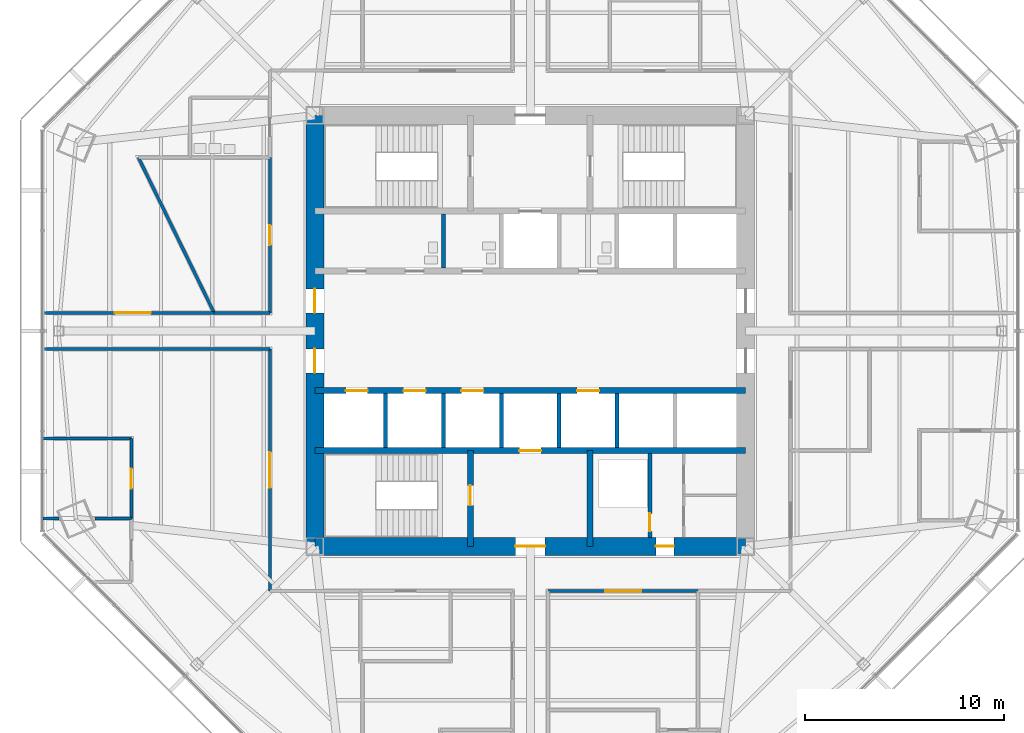
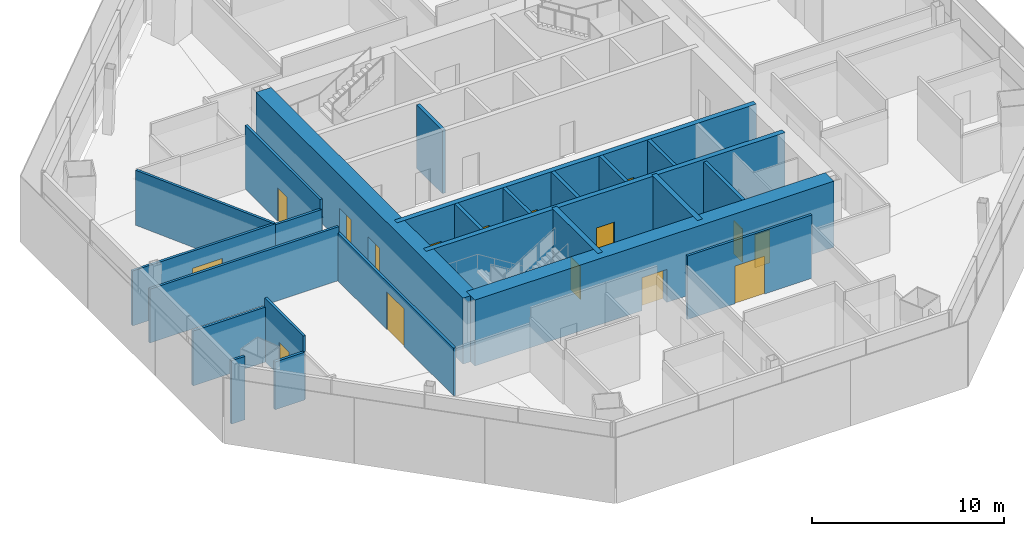
# One storey, part 9 of 15: 24 walls, 16 doors, 16 openings.
"""IFC4 building model written with IfcOpenShell, lengths in metres."""

from ifc_helpers import new_model, si_unit, direction, frame, frame_2d, origin, place, context, subcontext, project, spatial, rectangle, extrude, material, layer, layer_set, type_object, element, fill, save


model = new_model("IFC4")

# Units and contexts
model_context = context("Model", 3, precision=1e-05, world=origin(), true_north=direction((0.0, 1.0)))
body_context = subcontext(model_context, "Body", "Model", "MODEL_VIEW")
ifc_project = project(units=[si_unit("LENGTHUNIT", "METRE"), si_unit("AREAUNIT", "SQUARE_METRE"), si_unit("VOLUMEUNIT", "CUBIC_METRE"), si_unit("PLANEANGLEUNIT", "RADIAN"), si_unit("MASSUNIT", "GRAM", prefix="KILO")], contexts=[model_context])

# Site, building, storey
site_placement = place(None, origin())
site = spatial("IfcSite", under=ifc_project, at=site_placement, CompositionType="ELEMENT")
building_placement = place(site_placement, origin())
building = spatial("IfcBuilding", under=site, at=building_placement, Name="Mashrafa Tower", CompositionType="ELEMENT")
storey_placement = place(building_placement, frame((0.0, 0.0, 126.0)))
storey = spatial("IfcBuildingStorey", under=building, at=storey_placement, Name="L28", CompositionType="ELEMENT", Elevation=126.0)

# Wall, opening, door
ifc_material_1 = material(Name="Concrete masonry unit", Category="masonry")
ifc_layer_1 = layer(ifc_material_1, 0.199951171875)
ifc_layer_set_1 = layer_set([ifc_layer_1], Name="Blockwork wall 200 2 hr")
wall_type_1 = type_object("IfcWallType", Name="Blockwork wall 200 2 hr", PredefinedType="PARTITIONING", material=ifc_layer_set_1)
wall_1_placement = place(storey_placement, frame((6.0, -10.35009765625, 0.0), z_axis=(0.0, 0.0, 1.0), x_axis=(0.0, 1.0, 0.0)))
wall_1 = element("IfcWall", 1, at=wall_1_placement, inside=storey, type_object=wall_type_1, Name="Riser enclosure wall L28", PredefinedType="PARTITIONING", context=body_context, shape_type="SweptSolid", body=[
    extrude(rectangle(XDim=4.2001953125, YDim=0.199951171875, at=frame_2d((2.10009765625, 0.0))), origin(), (0.0, 0.0, 1.0), 4.034912109375),
])
opening_1_placement = place(wall_1_placement, frame((0.300048828125, 0.0, 0.0)))
opening_1 = element("IfcOpeningElement", 2, at=opening_1_placement, cuts=wall_1, Name="Opening 28.032", PredefinedType="OPENING", context=body_context, shape_type="SweptSolid", body=[
    extrude(rectangle(XDim=0.89990234375, YDim=2.10009765625, at=frame_2d((0.449951171875, 1.050048828125))), frame((0.0, 0.10986328125, 0.0), z_axis=(0.0, -1.0, 0.0), x_axis=(1.0, 0.0, 0.0)), (0.0, 0.0, 1.0), 0.219970703125),
])
ifc_material_2 = material(Name="Steel door", Category="steel")
door_type_1 = type_object("IfcDoorType", Name="Service door 900 x 2100 90 min", OperationType="USERDEFINED", PredefinedType="DOOR", material=ifc_material_2)
door_1_placement = place(opening_1_placement, origin())
door_1 = element("IfcDoor", 3, at=door_1_placement, inside=storey, type_object=door_type_1, Name="Riser door L28", OperationType="SINGLE_SWING_LEFT", OverallHeight=2.10009765625, OverallWidth=0.89990234375, PredefinedType="DOOR", context=body_context, shape_type="SweptSolid", body=[
    extrude(rectangle(XDim=0.89990234375, YDim=2.10009765625, at=frame_2d((0.449951171875, 1.050048828125))), frame((0.0, 0.02490234375, 0.0), z_axis=(0.0, -1.0, 0.0), x_axis=(1.0, 0.0, 0.0)), (0.0, 0.0, 1.0), 0.050048828125),
])
fill(opening_1, door_1)

# Wall, openings, doors
ifc_material_3 = material(Name="Concrete C60/75", Category="concrete")
ifc_layer_2 = layer(ifc_material_3, 0.300048828125)
ifc_layer_set_2 = layer_set([ifc_layer_2], Name="Core wall 300 C60/75")
wall_type_2 = type_object("IfcWallType", Name="Core wall 300 C60/75", PredefinedType="SOLIDWALL", material=ifc_layer_set_2)
wall_2_placement = place(storey_placement, frame((-10.800048828125, -3.0, 0.0), z_axis=(0.0, 0.0, 1.0), x_axis=(1.0, 0.0, 0.0)))
wall_2 = element("IfcWall", 4, at=wall_2_placement, inside=storey, type_object=wall_type_2, Name="Core wall CH-S L28", PredefinedType="SOLIDWALL", context=body_context, shape_type="SweptSolid", body=[
    extrude(rectangle(XDim=21.60009765625, YDim=0.300048828125, at=frame_2d((10.800048828125, 0.0))), origin(), (0.0, 0.0, 1.0), 4.199951171875),
])
opening_2_placement = place(wall_2_placement, frame((1.550048828125, 0.0, 0.0)))
opening_2 = element("IfcOpeningElement", 5, at=opening_2_placement, cuts=wall_2, Name="Opening 28.B1", PredefinedType="OPENING", context=body_context, shape_type="SweptSolid", body=[
    extrude(rectangle(XDim=1.10009765625, YDim=2.10009765625, at=frame_2d((0.550048828125, 1.050048828125))), frame((0.0, 0.159912109375, 0.0), z_axis=(0.0, -1.0, 0.0), x_axis=(1.0, 0.0, 0.0)), (0.0, 0.0, 1.0), 0.320068359375),
])
opening_3_placement = place(wall_2_placement, frame((4.449951171875, 0.0, 0.0)))
opening_3 = element("IfcOpeningElement", 6, at=opening_3_placement, cuts=wall_2, Name="Opening 28.B2", PredefinedType="OPENING", context=body_context, shape_type="SweptSolid", body=[
    extrude(rectangle(XDim=1.10009765625, YDim=2.10009765625, at=frame_2d((0.550048828125, 1.050048828125))), frame((0.0, 0.159912109375, 0.0), z_axis=(0.0, -1.0, 0.0), x_axis=(1.0, 0.0, 0.0)), (0.0, 0.0, 1.0), 0.320068359375),
])
opening_4_placement = place(wall_2_placement, frame((7.35009765625, 0.0, 0.0)))
opening_4 = element("IfcOpeningElement", 7, at=opening_4_placement, cuts=wall_2, Name="Opening 28.B3", PredefinedType="OPENING", context=body_context, shape_type="SweptSolid", body=[
    extrude(rectangle(XDim=1.10009765625, YDim=2.10009765625, at=frame_2d((0.550048828125, 1.050048828125))), frame((0.0, 0.159912109375, 0.0), z_axis=(0.0, -1.0, 0.0), x_axis=(1.0, 0.0, 0.0)), (0.0, 0.0, 1.0), 0.320068359375),
])
opening_5_placement = place(wall_2_placement, frame((13.14990234375, 0.0, 0.0)))
opening_5 = element("IfcOpeningElement", 8, at=opening_5_placement, cuts=wall_2, Name="Opening 28.B4", PredefinedType="OPENING", context=body_context, shape_type="SweptSolid", body=[
    extrude(rectangle(XDim=1.10009765625, YDim=2.10009765625, at=frame_2d((0.550048828125, 1.050048828125))), frame((0.0, 0.159912109375, 0.0), z_axis=(0.0, -1.0, 0.0), x_axis=(1.0, 0.0, 0.0)), (0.0, 0.0, 1.0), 0.320068359375),
])
ifc_material_4 = material(Name="Steel door", Category="steel")
door_type_2 = type_object("IfcDoorType", Name="Lift landing door 1100 x 2100 90 min", OperationType="DOUBLE_DOOR_SLIDING", PredefinedType="DOOR", material=ifc_material_4)
door_2_placement = place(opening_2_placement, origin())
door_2 = element("IfcDoor", 9, at=door_2_placement, inside=storey, type_object=door_type_2, Name="Lift landing door B1 L28", OperationType="DOUBLE_DOOR_SLIDING", OverallHeight=2.10009765625, OverallWidth=1.10009765625, PredefinedType="DOOR", context=body_context, shape_type="SweptSolid", body=[
    extrude(rectangle(XDim=1.10009765625, YDim=2.10009765625, at=frame_2d((0.550048828125, 1.050048828125))), frame((0.0, 0.02490234375, 0.0), z_axis=(0.0, -1.0, 0.0), x_axis=(1.0, 0.0, 0.0)), (0.0, 0.0, 1.0), 0.050048828125),
])
fill(opening_2, door_2)
door_3_placement = place(opening_3_placement, origin())
door_3 = element("IfcDoor", 10, at=door_3_placement, inside=storey, type_object=door_type_2, Name="Lift landing door B2 L28", OperationType="DOUBLE_DOOR_SLIDING", OverallHeight=2.10009765625, OverallWidth=1.10009765625, PredefinedType="DOOR", context=body_context, shape_type="SweptSolid", body=[
    extrude(rectangle(XDim=1.10009765625, YDim=2.10009765625, at=frame_2d((0.550048828125, 1.050048828125))), frame((0.0, 0.02490234375, 0.0), z_axis=(0.0, -1.0, 0.0), x_axis=(1.0, 0.0, 0.0)), (0.0, 0.0, 1.0), 0.050048828125),
])
fill(opening_3, door_3)
door_4_placement = place(opening_4_placement, origin())
door_4 = element("IfcDoor", 11, at=door_4_placement, inside=storey, type_object=door_type_2, Name="Lift landing door B3 L28", OperationType="DOUBLE_DOOR_SLIDING", OverallHeight=2.10009765625, OverallWidth=1.10009765625, PredefinedType="DOOR", context=body_context, shape_type="SweptSolid", body=[
    extrude(rectangle(XDim=1.10009765625, YDim=2.10009765625, at=frame_2d((0.550048828125, 1.050048828125))), frame((0.0, 0.02490234375, 0.0), z_axis=(0.0, -1.0, 0.0), x_axis=(1.0, 0.0, 0.0)), (0.0, 0.0, 1.0), 0.050048828125),
])
fill(opening_4, door_4)
door_5_placement = place(opening_5_placement, origin())
door_5 = element("IfcDoor", 12, at=door_5_placement, inside=storey, type_object=door_type_2, Name="Lift landing door B4 L28", OperationType="DOUBLE_DOOR_SLIDING", OverallHeight=2.10009765625, OverallWidth=1.10009765625, PredefinedType="DOOR", context=body_context, shape_type="SweptSolid", body=[
    extrude(rectangle(XDim=1.10009765625, YDim=2.10009765625, at=frame_2d((0.550048828125, 1.050048828125))), frame((0.0, 0.02490234375, 0.0), z_axis=(0.0, -1.0, 0.0), x_axis=(1.0, 0.0, 0.0)), (0.0, 0.0, 1.0), 0.050048828125),
])
fill(opening_5, door_5)

# Wall, opening, door
wall_3_placement = place(storey_placement, frame((-10.800048828125, -6.0, 0.0), z_axis=(0.0, 0.0, 1.0), x_axis=(1.0, 0.0, 0.0)))
wall_3 = element("IfcWall", 13, at=wall_3_placement, inside=storey, type_object=wall_type_2, Name="Core wall CB-S L28", PredefinedType="SOLIDWALL", context=body_context, shape_type="SweptSolid", body=[
    extrude(rectangle(XDim=21.60009765625, YDim=0.300048828125, at=frame_2d((10.800048828125, 0.0))), origin(), (0.0, 0.0, 1.0), 4.199951171875),
])
opening_6_placement = place(wall_3_placement, frame((10.25, 0.0, 0.0)))
opening_6 = element("IfcOpeningElement", 14, at=opening_6_placement, cuts=wall_3, Name="Opening 28.F2", PredefinedType="OPENING", context=body_context, shape_type="SweptSolid", body=[
    extrude(rectangle(XDim=1.10009765625, YDim=2.10009765625, at=frame_2d((0.550048828125, 1.050048828125))), frame((0.0, 0.159912109375, 0.0), z_axis=(0.0, -1.0, 0.0), x_axis=(1.0, 0.0, 0.0)), (0.0, 0.0, 1.0), 0.320068359375),
])
door_6_placement = place(opening_6_placement, origin())
door_6 = element("IfcDoor", 15, at=door_6_placement, inside=storey, type_object=door_type_2, Name="Lift landing door F2 L28", OperationType="DOUBLE_DOOR_SLIDING", OverallHeight=2.10009765625, OverallWidth=1.10009765625, PredefinedType="DOOR", context=body_context, shape_type="SweptSolid", body=[
    extrude(rectangle(XDim=1.10009765625, YDim=2.10009765625, at=frame_2d((0.550048828125, 1.050048828125))), frame((0.0, 0.02490234375, 0.0), z_axis=(0.0, -1.0, 0.0), x_axis=(1.0, 0.0, 0.0)), (0.0, 0.0, 1.0), 0.050048828125),
])
fill(opening_6, door_6)

wall_4_placement = place(storey_placement, frame((-3.0, -6.0, 0.0), z_axis=(0.0, 0.0, 1.0), x_axis=(0.0, -1.0, 0.0)))
wall_4 = element("IfcWall", 16, at=wall_4_placement, inside=storey, type_object=wall_type_2, Name="Core wall CX-SW L28", PredefinedType="SOLIDWALL", context=body_context, shape_type="SweptSolid", body=[
    extrude(rectangle(XDim=4.800048828125, YDim=0.300048828125, at=frame_2d((2.39990234375, 0.0))), origin(), (0.0, 0.0, 1.0), 4.199951171875),
])
opening_7_placement = place(wall_4_placement, frame((1.75, 0.0, 0.0)))
opening_7 = element("IfcOpeningElement", 17, at=opening_7_placement, cuts=wall_4, Name="Opening 28.030", PredefinedType="OPENING", context=body_context, shape_type="SweptSolid", body=[
    extrude(rectangle(XDim=1.0, YDim=2.10009765625, at=frame_2d((0.5, 1.050048828125))), frame((0.0, 0.159912109375, 0.0), z_axis=(0.0, -1.0, 0.0), x_axis=(1.0, 0.0, 0.0)), (0.0, 0.0, 1.0), 0.320068359375),
])
ifc_material_5 = material(Name="Steel door", Category="steel")
door_type_3 = type_object("IfcDoorType", Name="Stair door 1000 x 2100 90 min", OperationType="USERDEFINED", PredefinedType="DOOR", material=ifc_material_5)
door_7_placement = place(opening_7_placement, frame((1.0, 0.0, 0.0), z_axis=(0.0, 0.0, 1.0), x_axis=(-1.0, 0.0, 0.0)))
door_7 = element("IfcDoor", 18, at=door_7_placement, inside=storey, type_object=door_type_3, Name="Stair S3 door L28", OperationType="SINGLE_SWING_RIGHT", OverallHeight=2.10009765625, OverallWidth=1.0, PredefinedType="DOOR", context=body_context, shape_type="SweptSolid", body=[
    extrude(rectangle(XDim=1.0, YDim=2.10009765625, at=frame_2d((0.5, 1.050048828125))), frame((0.0, 0.02490234375, 0.0), z_axis=(0.0, -1.0, 0.0), x_axis=(1.0, 0.0, 0.0)), (0.0, 0.0, 1.0), 0.050048828125),
])
fill(opening_7, door_7)

# Wall
wall_5_placement = place(storey_placement, frame((3.0, -6.0, 0.0), z_axis=(0.0, 0.0, 1.0), x_axis=(0.0, -1.0, 0.0)))
element("IfcWall", 19, at=wall_5_placement, inside=storey, type_object=wall_type_2, Name="Core wall CX-SE L28", PredefinedType="SOLIDWALL", context=body_context, shape_type="SweptSolid", body=[
    extrude(rectangle(XDim=4.800048828125, YDim=0.300048828125, at=frame_2d((2.39990234375, 0.0))), origin(), (0.0, 0.0, 1.0), 4.199951171875),
])

# Wall, openings, doors
ifc_material_6 = material(Name="Concrete C60/75", Category="concrete")
ifc_layer_3 = layer(ifc_material_6, 0.89990234375)
ifc_layer_set_3 = layer_set([ifc_layer_3], Name="Core wall 900 C60/75")
wall_type_3 = type_object("IfcWallType", Name="Core wall 900 C60/75", PredefinedType="SOLIDWALL", material=ifc_layer_set_3)
wall_6_placement = place(storey_placement, frame((-10.800048828125, -10.800048828125, 0.0), z_axis=(0.0, 0.0, 1.0), x_axis=(1.0, 0.0, 0.0)))
wall_6 = element("IfcWall", 20, at=wall_6_placement, inside=storey, type_object=wall_type_3, Name="Core wall CW-S L28", PredefinedType="SOLIDWALL", context=body_context, shape_type="SweptSolid", body=[
    extrude(rectangle(XDim=21.60009765625, YDim=0.89990234375, at=frame_2d((10.800048828125, 0.0))), origin(), (0.0, 0.0, 1.0), 4.199951171875),
])
opening_8_placement = place(wall_6_placement, frame((10.050048828125, 0.0, 0.0)))
opening_8 = element("IfcOpeningElement", 21, at=opening_8_placement, cuts=wall_6, Name="Opening 28.027", PredefinedType="OPENING", context=body_context, shape_type="SweptSolid", body=[
    extrude(rectangle(XDim=1.5, YDim=2.10009765625, at=frame_2d((0.75, 1.050048828125))), frame((0.0, 0.4599609375, 0.0), z_axis=(0.0, -1.0, 0.0), x_axis=(1.0, 0.0, 0.0)), (0.0, 0.0, 1.0), 0.919921875),
])
opening_9_placement = place(wall_6_placement, frame((17.10009765625, 0.0, 0.0)))
opening_9 = element("IfcOpeningElement", 22, at=opening_9_placement, cuts=wall_6, Name="Opening 28.031", PredefinedType="OPENING", context=body_context, shape_type="SweptSolid", body=[
    extrude(rectangle(XDim=0.89990234375, YDim=2.10009765625, at=frame_2d((0.449951171875, 1.050048828125))), frame((0.0, 0.4599609375, 0.0), z_axis=(0.0, -1.0, 0.0), x_axis=(1.0, 0.0, 0.0)), (0.0, 0.0, 1.0), 0.919921875),
])
ifc_material_7 = material(Name="Steel door", Category="steel")
door_type_4 = type_object("IfcDoorType", Name="Lobby door pair 1500 x 2100 90 min", OperationType="DOUBLE_DOOR_SINGLE_SWING", PredefinedType="DOOR", material=ifc_material_7)
door_8_placement = place(opening_8_placement, origin())
door_8 = element("IfcDoor", 23, at=door_8_placement, inside=storey, type_object=door_type_4, Name="Fire-fighting lobby F2 door L28", OperationType="DOUBLE_DOOR_SINGLE_SWING", OverallHeight=2.10009765625, OverallWidth=1.5, PredefinedType="DOOR", context=body_context, shape_type="SweptSolid", body=[
    extrude(rectangle(XDim=1.5, YDim=2.10009765625, at=frame_2d((0.75, 1.050048828125))), frame((0.0, 0.02490234375, 0.0), z_axis=(0.0, -1.0, 0.0), x_axis=(1.0, 0.0, 0.0)), (0.0, 0.0, 1.0), 0.050048828125),
])
fill(opening_8, door_8)
door_9_placement = place(opening_9_placement, frame((0.89990234375, 0.0, 0.0), z_axis=(0.0, 0.0, 1.0), x_axis=(-1.0, 0.0, 0.0)))
door_9 = element("IfcDoor", 24, at=door_9_placement, inside=storey, type_object=door_type_1, Name="Services Lobby L28 door", OperationType="SINGLE_SWING_LEFT", OverallHeight=2.10009765625, OverallWidth=0.89990234375, PredefinedType="DOOR", context=body_context, shape_type="SweptSolid", body=[
    extrude(rectangle(XDim=0.89990234375, YDim=2.10009765625, at=frame_2d((0.449951171875, 1.050048828125))), frame((0.0, 0.02490234375, 0.0), z_axis=(0.0, -1.0, 0.0), x_axis=(1.0, 0.0, 0.0)), (0.0, 0.0, 1.0), 0.050048828125),
])
fill(opening_9, door_9)

wall_7_placement = place(storey_placement, frame((-10.800048828125, 10.800048828125, 0.0), z_axis=(0.0, 0.0, 1.0), x_axis=(0.0, -1.0, 0.0)))
wall_7 = element("IfcWall", 25, at=wall_7_placement, inside=storey, type_object=wall_type_3, Name="Core wall CW-W L28", PredefinedType="SOLIDWALL", context=body_context, shape_type="SweptSolid", body=[
    extrude(rectangle(XDim=21.60009765625, YDim=0.89990234375, at=frame_2d((10.800048828125, 0.0))), origin(), (0.0, 0.0, 1.0), 4.199951171875),
])
opening_10_placement = place(wall_7_placement, frame((8.699951171875, 0.0, 0.0)))
opening_10 = element("IfcOpeningElement", 26, at=opening_10_placement, cuts=wall_7, Name="Opening 28.023", PredefinedType="OPENING", context=body_context, shape_type="SweptSolid", body=[
    extrude(rectangle(XDim=1.199951171875, YDim=2.10009765625, at=frame_2d((0.60009765625, 1.050048828125))), frame((0.0, 0.4599609375, 0.0), z_axis=(0.0, -1.0, 0.0), x_axis=(1.0, 0.0, 0.0)), (0.0, 0.0, 1.0), 0.919921875),
])
opening_11_placement = place(wall_7_placement, frame((11.699951171875, 0.0, 0.0)))
opening_11 = element("IfcOpeningElement", 27, at=opening_11_placement, cuts=wall_7, Name="Opening 28.025", PredefinedType="OPENING", context=body_context, shape_type="SweptSolid", body=[
    extrude(rectangle(XDim=1.199951171875, YDim=2.10009765625, at=frame_2d((0.60009765625, 1.050048828125))), frame((0.0, 0.4599609375, 0.0), z_axis=(0.0, -1.0, 0.0), x_axis=(1.0, 0.0, 0.0)), (0.0, 0.0, 1.0), 0.919921875),
])
ifc_material_8 = material(Name="Steel door", Category="steel")
door_type_5 = type_object("IfcDoorType", Name="Lift hall door 1200 x 2100 90 min", OperationType="USERDEFINED", PredefinedType="DOOR", material=ifc_material_8)
door_10_placement = place(opening_10_placement, frame((1.199951171875, 0.0, 0.0), z_axis=(0.0, 0.0, 1.0), x_axis=(-1.0, 0.0, 0.0)))
door_10 = element("IfcDoor", 28, at=door_10_placement, inside=storey, type_object=door_type_5, Name="Lift hall door west L28", OperationType="SINGLE_SWING_RIGHT", OverallHeight=2.10009765625, OverallWidth=1.199951171875, PredefinedType="DOOR", context=body_context, shape_type="SweptSolid", body=[
    extrude(rectangle(XDim=1.199951171875, YDim=2.10009765625, at=frame_2d((0.60009765625, 1.050048828125))), frame((0.0, 0.02490234375, 0.0), z_axis=(0.0, -1.0, 0.0), x_axis=(1.0, 0.0, 0.0)), (0.0, 0.0, 1.0), 0.050048828125),
])
fill(opening_10, door_10)
door_11_placement = place(opening_11_placement, frame((1.199951171875, 0.0, 0.0), z_axis=(0.0, 0.0, 1.0), x_axis=(-1.0, 0.0, 0.0)))
door_11 = element("IfcDoor", 29, at=door_11_placement, inside=storey, type_object=door_type_5, Name="Lift hall door west L28", OperationType="SINGLE_SWING_LEFT", OverallHeight=2.10009765625, OverallWidth=1.199951171875, PredefinedType="DOOR", context=body_context, shape_type="SweptSolid", body=[
    extrude(rectangle(XDim=1.199951171875, YDim=2.10009765625, at=frame_2d((0.60009765625, 1.050048828125))), frame((0.0, 0.02490234375, 0.0), z_axis=(0.0, -1.0, 0.0), x_axis=(1.0, 0.0, 0.0)), (0.0, 0.0, 1.0), 0.050048828125),
])
fill(opening_11, door_11)

# Wall, opening, door
ifc_material_9 = material(Name="Gypsum board on steel studs", Category="steel")
ifc_layer_4 = layer(ifc_material_9, 0.14990234375)
ifc_layer_set_4 = layer_set([ifc_layer_4], Name="Corridor partition 150 1 hr")
wall_type_4 = type_object("IfcWallType", Name="Corridor partition 150 1 hr", PredefinedType="PARTITIONING", material=ifc_layer_set_4)
wall_8_placement = place(storey_placement, frame((-13.050048828125, 8.700927734375, 0.0), z_axis=(0.0, 0.0, 1.0), x_axis=(0.0, -1.0, 0.0)))
wall_8 = element("IfcWall", 30, at=wall_8_placement, inside=storey, type_object=wall_type_4, Name="Corridor wall L28-001", PredefinedType="PARTITIONING", context=body_context, shape_type="SweptSolid", body=[
    extrude(rectangle(XDim=7.801025390625, YDim=0.14990234375, at=frame_2d((3.900390625, 0.0))), origin(), (0.0, 0.0, 1.0), 4.034912109375),
])
opening_12_placement = place(wall_8_placement, frame((3.400390625, 0.0, 0.0)))
opening_12 = element("IfcOpeningElement", 31, at=opening_12_placement, cuts=wall_8, Name="Opening 28.001", PredefinedType="OPENING", context=body_context, shape_type="SweptSolid", body=[
    extrude(rectangle(XDim=1.0, YDim=2.10009765625, at=frame_2d((0.5, 1.050048828125))), frame((0.0, 0.0849609375, 0.0), z_axis=(0.0, -1.0, 0.0), x_axis=(1.0, 0.0, 0.0)), (0.0, 0.0, 1.0), 0.169921875),
])
ifc_material_10 = material(Name="Timber door", Category="wood")
door_type_6 = type_object("IfcDoorType", Name="Door 1000 x 2100", OperationType="USERDEFINED", PredefinedType="DOOR", material=ifc_material_10)
door_12_placement = place(opening_12_placement, frame((1.0, 0.0, 0.0), z_axis=(0.0, 0.0, 1.0), x_axis=(-1.0, 0.0, 0.0)))
door_12 = element("IfcDoor", 32, at=door_12_placement, inside=storey, type_object=door_type_6, Name="Musallah Prayer Room 28 door", OperationType="SINGLE_SWING_LEFT", OverallHeight=2.10009765625, OverallWidth=1.0, PredefinedType="DOOR", context=body_context, shape_type="SweptSolid", body=[
    extrude(rectangle(XDim=1.0, YDim=2.10009765625, at=frame_2d((0.5, 1.050048828125))), frame((0.0, 0.02490234375, 0.0), z_axis=(0.0, -1.0, 0.0), x_axis=(1.0, 0.0, 0.0)), (0.0, 0.0, 1.0), 0.050048828125),
])
fill(opening_12, door_12)

# Wall
wall_9_placement = place(storey_placement, frame((-13.050048828125, 0.89990234375, 0.0), z_axis=(0.0, 0.0, 1.0), x_axis=(-1.0, 0.0, 0.0)))
element("IfcWall", 33, at=wall_9_placement, inside=storey, type_object=wall_type_4, Name="Corridor wall L28-002", PredefinedType="PARTITIONING", context=body_context, shape_type="SweptSolid", body=[
    extrude(rectangle(XDim=2.796630859375, YDim=0.14990234375, at=frame_2d((1.3984375, 0.0))), origin(), (0.0, 0.0, 1.0), 3.425537109375),
])

# Wall, opening, door
wall_10_placement = place(storey_placement, frame((-15.844482421875, 0.89990234375, 0.0), z_axis=(0.0, 0.0, 1.0), x_axis=(-1.0, 0.0, 0.0)))
wall_10 = element("IfcWall", 34, at=wall_10_placement, inside=storey, type_object=wall_type_4, Name="Corridor wall L28-016", PredefinedType="PARTITIONING", context=body_context, shape_type="SweptSolid", body=[
    extrude(rectangle(XDim=8.58984375, YDim=0.14990234375, at=frame_2d((4.294921875, 0.0))), origin(), (0.0, 0.0, 1.0), 3.49169921875),
])
opening_13_placement = place(wall_10_placement, frame((3.177978515625, 0.0, 0.0)))
opening_13 = element("IfcOpeningElement", 35, at=opening_13_placement, cuts=wall_10, Name="Opening 28.016", PredefinedType="OPENING", context=body_context, shape_type="SweptSolid", body=[
    extrude(rectangle(XDim=1.800048828125, YDim=2.39990234375, at=frame_2d((0.89990234375, 1.199951171875))), frame((0.0, 0.0849609375, 0.0), z_axis=(0.0, -1.0, 0.0), x_axis=(1.0, 0.0, 0.0)), (0.0, 0.0, 1.0), 0.169921875),
])
ifc_material_11 = material(Name="Timber door", Category="wood")
door_type_7 = type_object("IfcDoorType", Name="Door pair 1800 x 2400", OperationType="DOUBLE_DOOR_SINGLE_SWING", PredefinedType="DOOR", material=ifc_material_11)
door_13_placement = place(opening_13_placement, frame((1.800048828125, 0.0, 0.0), z_axis=(0.0, 0.0, 1.0), x_axis=(-1.0, 0.0, 0.0)))
door_13 = element("IfcDoor", 36, at=door_13_placement, inside=storey, type_object=door_type_7, Name="Office Tenancy 28-N-NW1 door", OperationType="DOUBLE_DOOR_SINGLE_SWING", OverallHeight=2.39990234375, OverallWidth=1.800048828125, PredefinedType="DOOR", context=body_context, shape_type="SweptSolid", body=[
    extrude(rectangle(XDim=1.800048828125, YDim=2.39990234375, at=frame_2d((0.89990234375, 1.199951171875))), frame((0.0, 0.02490234375, 0.0), z_axis=(0.0, -1.0, 0.0), x_axis=(1.0, 0.0, 0.0)), (0.0, 0.0, 1.0), 0.050048828125),
])
fill(opening_13, door_13)

# Wall
wall_11_placement = place(storey_placement, frame((-24.432373046875, -0.89990234375, 0.0), z_axis=(0.0, 0.0, 1.0), x_axis=(1.0, 0.0, 0.0)))
element("IfcWall", 37, at=wall_11_placement, inside=storey, type_object=wall_type_4, Name="Corridor wall L28-021", PredefinedType="PARTITIONING", context=body_context, shape_type="SweptSolid", body=[
    extrude(rectangle(XDim=11.38232421875, YDim=0.14990234375, at=frame_2d((5.691162109375, 0.0))), origin(), (0.0, 0.0, 1.0), 3.425537109375),
])

# Wall, opening, door
wall_12_placement = place(storey_placement, frame((-13.050048828125, -0.89990234375, 0.0), z_axis=(0.0, 0.0, 1.0), x_axis=(0.0, -1.0, 0.0)))
wall_12 = element("IfcWall", 38, at=wall_12_placement, inside=storey, type_object=wall_type_4, Name="Corridor wall L28-022", PredefinedType="PARTITIONING", context=body_context, shape_type="SweptSolid", body=[
    extrude(rectangle(XDim=12.150146484375, YDim=0.14990234375, at=frame_2d((6.0751953125, 0.0))), origin(), (0.0, 0.0, 1.0), 3.0419921875),
])
opening_14_placement = place(wall_12_placement, frame((5.175048828125, 0.0, 0.0)))
opening_14 = element("IfcOpeningElement", 39, at=opening_14_placement, cuts=wall_12, Name="Opening 28.018", PredefinedType="OPENING", context=body_context, shape_type="SweptSolid", body=[
    extrude(rectangle(XDim=1.800048828125, YDim=2.39990234375, at=frame_2d((0.89990234375, 1.199951171875))), frame((0.0, 0.0849609375, 0.0), z_axis=(0.0, -1.0, 0.0), x_axis=(1.0, 0.0, 0.0)), (0.0, 0.0, 1.0), 0.169921875),
])
door_14_placement = place(opening_14_placement, frame((1.800048828125, 0.0, 0.0), z_axis=(0.0, 0.0, 1.0), x_axis=(-1.0, 0.0, 0.0)))
door_14 = element("IfcDoor", 40, at=door_14_placement, inside=storey, type_object=door_type_7, Name="Office Tenancy 28-S-SW1 door", OperationType="DOUBLE_DOOR_SINGLE_SWING", OverallHeight=2.39990234375, OverallWidth=1.800048828125, PredefinedType="DOOR", context=body_context, shape_type="SweptSolid", body=[
    extrude(rectangle(XDim=1.800048828125, YDim=2.39990234375, at=frame_2d((0.89990234375, 1.199951171875))), frame((0.0, 0.02490234375, 0.0), z_axis=(0.0, -1.0, 0.0), x_axis=(1.0, 0.0, 0.0)), (0.0, 0.0, 1.0), 0.050048828125),
])
fill(opening_14, door_14)

wall_13_placement = place(storey_placement, frame((0.89990234375, -13.050048828125, 0.0), z_axis=(0.0, 0.0, 1.0), x_axis=(1.0, 0.0, 0.0)))
wall_13 = element("IfcWall", 41, at=wall_13_placement, inside=storey, type_object=wall_type_4, Name="Corridor wall L28-030", PredefinedType="PARTITIONING", context=body_context, shape_type="SweptSolid", body=[
    extrude(rectangle(XDim=7.5009765625, YDim=0.14990234375, at=frame_2d((3.75048828125, 0.0))), origin(), (0.0, 0.0, 1.0), 4.034912109375),
])
opening_15_placement = place(wall_13_placement, frame((2.8505859375, 0.0, 0.0)))
opening_15 = element("IfcOpeningElement", 42, at=opening_15_placement, cuts=wall_13, Name="Opening 28.021", PredefinedType="OPENING", context=body_context, shape_type="SweptSolid", body=[
    extrude(rectangle(XDim=1.800048828125, YDim=2.39990234375, at=frame_2d((0.89990234375, 1.199951171875))), frame((0.0, 0.0849609375, 0.0), z_axis=(0.0, -1.0, 0.0), x_axis=(1.0, 0.0, 0.0)), (0.0, 0.0, 1.0), 0.169921875),
])
door_15_placement = place(opening_15_placement, frame((1.800048828125, 0.0, 0.0), z_axis=(0.0, 0.0, 1.0), x_axis=(-1.0, 0.0, 0.0)))
door_15 = element("IfcDoor", 43, at=door_15_placement, inside=storey, type_object=door_type_7, Name="Office Tenancy 28-S-SE2 door", OperationType="DOUBLE_DOOR_SINGLE_SWING", OverallHeight=2.39990234375, OverallWidth=1.800048828125, PredefinedType="DOOR", context=body_context, shape_type="SweptSolid", body=[
    extrude(rectangle(XDim=1.800048828125, YDim=2.39990234375, at=frame_2d((0.89990234375, 1.199951171875))), frame((0.0, 0.02490234375, 0.0), z_axis=(0.0, -1.0, 0.0), x_axis=(1.0, 0.0, 0.0)), (0.0, 0.0, 1.0), 0.050048828125),
])
fill(opening_15, door_15)

# Walls
ifc_material_12 = material(Name="Gypsum board on steel studs", Category="steel")
ifc_layer_5 = layer(ifc_material_12, 0.14990234375)
ifc_layer_set_5 = layer_set([ifc_layer_5], Name="Partition 150")
wall_type_5 = type_object("IfcWallType", Name="Partition 150", PredefinedType="PARTITIONING", material=ifc_layer_set_5)
wall_14_placement = place(storey_placement, frame((-19.64990234375, 8.699951171875, 0.0), z_axis=(0.0, 0.0, 1.0), x_axis=(0.438358227548, -0.898800347319, 0.0)))
element("IfcWall", 44, at=wall_14_placement, inside=storey, type_object=wall_type_5, Name="Partition wall L28-033", PredefinedType="PARTITIONING", context=body_context, shape_type="SweptSolid", body=[
    extrude(rectangle(XDim=8.67822265625, YDim=0.14990234375, at=frame_2d((4.339111328125, 0.0))), origin(), (0.0, 0.0, 1.0), 3.499267578125),
])
wall_15_placement = place(storey_placement, frame((-24.432373046875, -9.407958984375, 0.0), z_axis=(0.0, 0.0, 1.0), x_axis=(1.0, 0.0, 0.0)))
element("IfcWall", 45, at=wall_15_placement, inside=storey, type_object=wall_type_5, Name="Partition wall L28-063", PredefinedType="PARTITIONING", context=body_context, shape_type="SweptSolid", body=[
    extrude(rectangle(XDim=0.8173828125, YDim=0.14990234375, at=frame_2d((0.40869140625, 0.0))), origin(), (0.0, 0.0, 1.0), 4.034912109375),
])
wall_16_placement = place(storey_placement, frame((-21.810302734375, -9.407958984375, 0.0), z_axis=(0.0, 0.0, 1.0), x_axis=(1.0, 0.0, 0.0)))
element("IfcWall", 46, at=wall_16_placement, inside=storey, type_object=wall_type_5, Name="Partition wall L28-064", PredefinedType="PARTITIONING", context=body_context, shape_type="SweptSolid", body=[
    extrude(rectangle(XDim=1.809814453125, YDim=0.14990234375, at=frame_2d((0.90478515625, 0.0))), origin(), (0.0, 0.0, 1.0), 3.0419921875),
])

# Wall, opening, door
wall_17_placement = place(storey_placement, frame((-20.00048828125, -9.407958984375, 0.0), z_axis=(0.0, 0.0, 1.0), x_axis=(0.0, 1.0, 0.0)))
wall_17 = element("IfcWall", 47, at=wall_17_placement, inside=storey, type_object=wall_type_5, Name="Partition wall L28-065", PredefinedType="PARTITIONING", context=body_context, shape_type="SweptSolid", body=[
    extrude(rectangle(XDim=4.008056640625, YDim=0.14990234375, at=frame_2d((2.00390625, 0.0))), origin(), (0.0, 0.0, 1.0), 4.034912109375),
])
opening_16_placement = place(wall_17_placement, frame((1.50390625, 0.0, 0.0)))
opening_16 = element("IfcOpeningElement", 48, at=opening_16_placement, cuts=wall_17, Name="Opening 28.012", PredefinedType="OPENING", context=body_context, shape_type="SweptSolid", body=[
    extrude(rectangle(XDim=1.0, YDim=2.10009765625, at=frame_2d((0.5, 1.050048828125))), frame((0.0, 0.0849609375, 0.0), z_axis=(0.0, -1.0, 0.0), x_axis=(1.0, 0.0, 0.0)), (0.0, 0.0, 1.0), 0.169921875),
])
door_16_placement = place(opening_16_placement, origin())
door_16 = element("IfcDoor", 49, at=door_16_placement, inside=storey, type_object=door_type_6, Name="Office 28-S-SW1-1 door", OperationType="SINGLE_SWING_LEFT", OverallHeight=2.10009765625, OverallWidth=1.0, PredefinedType="DOOR", context=body_context, shape_type="SweptSolid", body=[
    extrude(rectangle(XDim=1.0, YDim=2.10009765625, at=frame_2d((0.5, 1.050048828125))), frame((0.0, 0.02490234375, 0.0), z_axis=(0.0, -1.0, 0.0), x_axis=(1.0, 0.0, 0.0)), (0.0, 0.0, 1.0), 0.050048828125),
])
fill(opening_16, door_16)

# Walls
wall_18_placement = place(storey_placement, frame((-20.00048828125, -5.39990234375, 0.0), z_axis=(0.0, 0.0, 1.0), x_axis=(-1.0, 0.0, 0.0)))
element("IfcWall", 50, at=wall_18_placement, inside=storey, type_object=wall_type_5, Name="Partition wall L28-066", PredefinedType="PARTITIONING", context=body_context, shape_type="SweptSolid", body=[
    extrude(rectangle(XDim=4.431884765625, YDim=0.14990234375, at=frame_2d((2.2158203125, 0.0))), origin(), (0.0, 0.0, 1.0), 3.49169921875),
])
ifc_material_13 = material(Name="Gypsum shaft wall on steel studs", Category="steel")
ifc_layer_6 = layer(ifc_material_13, 0.199951171875)
ifc_layer_set_6 = layer_set([ifc_layer_6], Name="Shaft divider wall 200 2 hr")
wall_type_6 = type_object("IfcWallType", Name="Shaft divider wall 200 2 hr", PredefinedType="PARTITIONING", material=ifc_layer_set_6)
wall_19_placement = place(storey_placement, frame((-4.35009765625, 3.14990234375, 0.0), z_axis=(0.0, 0.0, 1.0), x_axis=(0.0, 1.0, 0.0)))
element("IfcWall", 51, at=wall_19_placement, inside=storey, type_object=wall_type_6, Name="Shaft divider wall N2 L28", PredefinedType="PARTITIONING", context=body_context, shape_type="SweptSolid", body=[
    extrude(rectangle(XDim=2.7001953125, YDim=0.199951171875, at=frame_2d((1.35009765625, 0.0))), origin(), (0.0, 0.0, 1.0), 4.034912109375),
])
for number, where, z_axis, x_axis, name in (
    (52, (-7.25, -5.85009765625, 0.0), (0.0, 0.0, 1.0), (0.0, 1.0, 0.0), "Shaft divider wall S1 L28"),
    (53, (-4.35009765625, -5.85009765625, 0.0), (0.0, 0.0, 1.0), (0.0, 1.0, 0.0), "Shaft divider wall S2 L28"),
    (54, (-1.449951171875, -5.85009765625, 0.0), (0.0, 0.0, 1.0), (0.0, 1.0, 0.0), "Shaft divider wall S3 L28"),
    (55, (1.449951171875, -5.85009765625, 0.0), (0.0, 0.0, 1.0), (0.0, 1.0, 0.0), "Shaft divider wall S4 L28"),
    (56, (4.35009765625, -5.85009765625, 0.0), (0.0, 0.0, 1.0), (0.0, 1.0, 0.0), "Shaft divider wall S5 L28"),
):
    element("IfcWall", number, at=place(storey_placement, frame(where, z_axis=z_axis, x_axis=x_axis)), inside=storey, type_object=wall_type_6, Name=name, PredefinedType="PARTITIONING", context=body_context, shape_type="SweptSolid", body=[
        extrude(rectangle(XDim=2.7001953125, YDim=0.199951171875, at=frame_2d((1.35009765625, 0.0))), origin(), (0.0, 0.0, 1.0), 4.199951171875),
    ])

save(model, "model.ifc")
